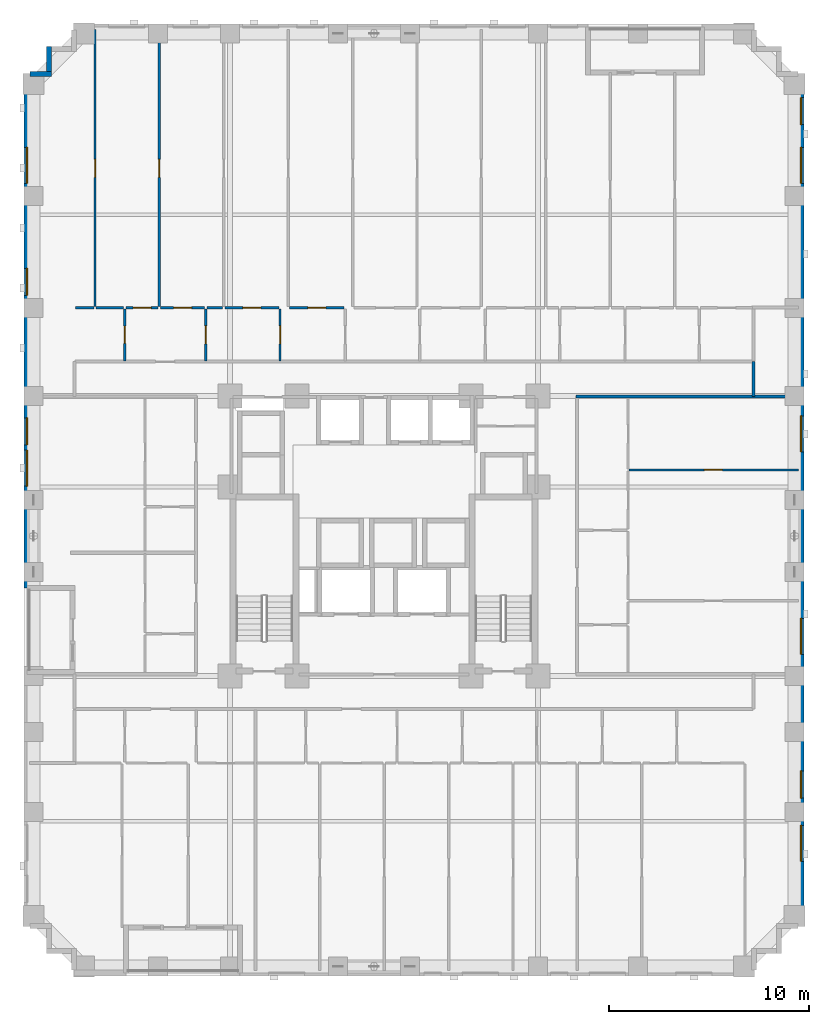
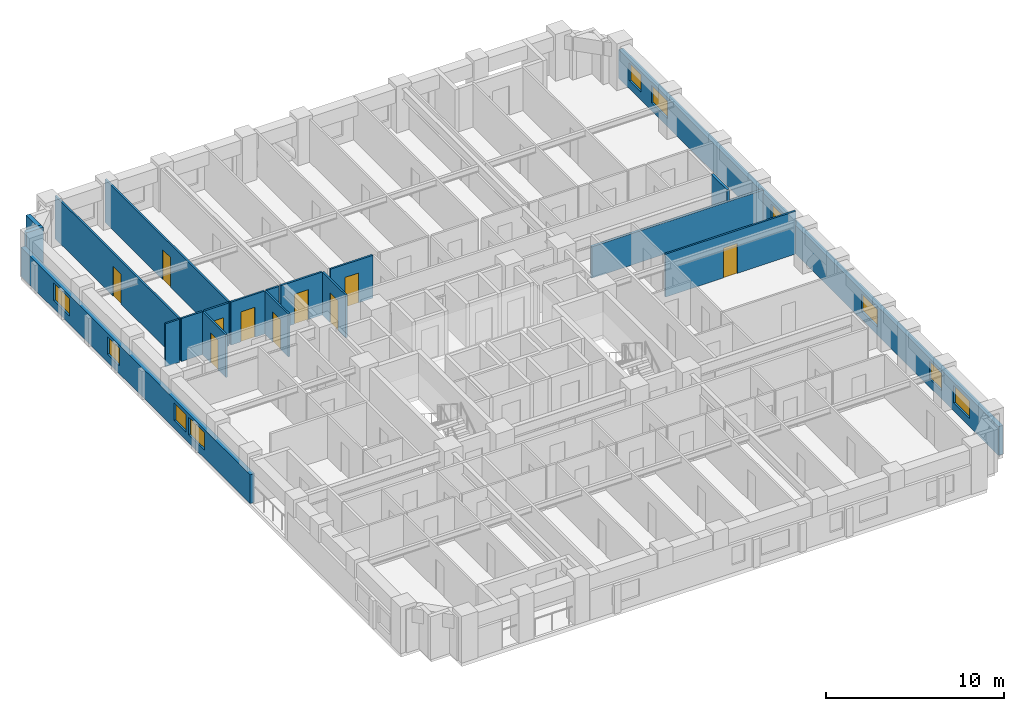
# One storey, part 7 of 14: 19 walls, 10 doors, 10 windows, 20 openings.
"""IFC4 building model written with IfcOpenShell, lengths in metres."""

from ifc_helpers import new_model, si_unit, derived_unit, direction, frame, frame_2d, origin, place, context, subcontext, project, spatial, rectangle, extrude, material, layer, layer_set, type_object, element, fill, save


model = new_model("IFC4")

# Units and contexts
model_context = context("Model", 3, precision=1e-05, world=origin(), true_north=direction((0.0, 1.0)))
body_context = subcontext(model_context, "Body", "Model", "MODEL_VIEW")
ifc_project = project(units=[si_unit("LENGTHUNIT", "METRE"), si_unit("AREAUNIT", "SQUARE_METRE"), si_unit("VOLUMEUNIT", "CUBIC_METRE"), si_unit("PLANEANGLEUNIT", "RADIAN"), si_unit("MASSUNIT", "GRAM", prefix="KILO"), derived_unit("THERMALTRANSMITTANCEUNIT", [(si_unit("MASSUNIT", "GRAM", prefix="KILO"), 1), (si_unit("TIMEUNIT", "SECOND"), -3), (si_unit("THERMODYNAMICTEMPERATUREUNIT", "KELVIN"), -1)])], contexts=[model_context])

# Site, building, storey
site_placement = place(None, origin())
site = spatial("IfcSite", under=ifc_project, at=site_placement, CompositionType="ELEMENT")
building_placement = place(site_placement, origin())
building = spatial("IfcBuilding", under=site, at=building_placement, Name="Korrvale Station Residences", CompositionType="ELEMENT")
storey_placement = place(building_placement, frame((0.0, 0.0, 41.800048828125)))
storey = spatial("IfcBuildingStorey", under=building, at=storey_placement, Name="L10", CompositionType="ELEMENT", Elevation=41.800048828125)

# Walls
ifc_material_1 = material(Name="Precast concrete C45/55", Category="concrete")
ifc_layer_1 = layer(ifc_material_1, 0.260009765625, Name="Precast concrete C45/55")
ifc_layer_set_1 = layer_set([ifc_layer_1], Name="Precast concrete C45/55")
wall_type_1 = type_object("IfcWallType", Name="WAL-EXT-LOG260", PredefinedType="SOLIDWALL", material=ifc_layer_set_1)
wall_1_placement = place(storey_placement, frame((7.802001953125, 45.10009765625, 0.0), z_axis=(0.0, 0.0, 1.0), x_axis=(1.0, 0.0, 0.0)))
element("IfcWall", 1, at=wall_1_placement, inside=storey, type_object=wall_type_1, Name="L10 Serrated Corner Precast Step NW-1", PredefinedType="SOLIDWALL", context=body_context, shape_type="SweptSolid", body=[
    extrude(rectangle(XDim=1.077880859375, YDim=0.260009765625, at=frame_2d((0.5390625, 0.0))), origin(), (0.0, 0.0, 1.0), 2.93994140625),
])
wall_2_placement = place(storey_placement, frame((8.75, 45.23193359375, 0.0), z_axis=(0.0, 0.0, 1.0), x_axis=(0.0, 1.0, 0.0)))
element("IfcWall", 2, at=wall_2_placement, inside=storey, type_object=wall_type_1, Name="L10 Serrated Corner Precast Step NW-2", PredefinedType="SOLIDWALL", context=body_context, shape_type="SweptSolid", body=[
    extrude(rectangle(XDim=1.248046875, YDim=0.260009765625, at=frame_2d((0.6240234375, 0.0))), origin(), (0.0, 0.0, 1.0), 2.93994140625),
])

# Wall, openings, windows
ifc_layer_2 = layer(ifc_material_1, 0.300048828125, Name="Precast concrete C45/55")
ifc_layer_set_2 = layer_set([ifc_layer_2], Name="Precast concrete C45/55")
wall_type_2 = type_object("IfcWallType", Name="WAL-EXT-PC300", PredefinedType="SOLIDWALL", material=ifc_layer_set_2)
wall_3_placement = place(storey_placement, frame((46.35009765625, 45.10009765625, 0.0), z_axis=(0.0, 0.0, 1.0), x_axis=(0.0, -1.0, 0.0)))
wall_3 = element("IfcWall", 3, at=wall_3_placement, inside=storey, type_object=wall_type_2, Name="L10 East Exterior Precast Wall 1", PredefinedType="SOLIDWALL", context=body_context, shape_type="SweptSolid", body=[
    extrude(rectangle(XDim=42.60009765625, YDim=0.300048828125, at=frame_2d((21.300048828125, 0.0))), origin(), (0.0, 0.0, 1.0), 1.974853515625),
])
opening_1_placement = place(wall_3_placement, frame((37.574951171875, 0.0, 0.550048828125)))
opening_1 = element("IfcOpeningElement", 4, at=opening_1_placement, cuts=wall_3, Name="Opening W-09", PredefinedType="OPENING", context=body_context, shape_type="SweptSolid", body=[
    extrude(rectangle(XDim=1.800048828125, YDim=1.199951171875, at=frame_2d((0.89990234375, 0.60009765625))), frame((0.0, 0.16015625, 0.0), z_axis=(0.0, -1.0, 0.0), x_axis=(1.0, 0.0, 0.0)), (0.0, 0.0, 1.0), 0.320068359375),
])
opening_2_placement = place(wall_3_placement, frame((34.85009765625, 0.0, 0.550048828125)))
opening_2 = element("IfcOpeningElement", 5, at=opening_2_placement, cuts=wall_3, Name="Opening W-10", PredefinedType="OPENING", context=body_context, shape_type="SweptSolid", body=[
    extrude(rectangle(XDim=1.35009765625, YDim=1.199951171875, at=frame_2d((0.675048828125, 0.60009765625))), frame((0.0, 0.16015625, 0.0), z_axis=(0.0, -1.0, 0.0), x_axis=(1.0, 0.0, 0.0)), (0.0, 0.0, 1.0), 0.320068359375),
])
opening_3_placement = place(wall_3_placement, frame((3.6650390625, 0.0, 0.550048828125)))
opening_3 = element("IfcOpeningElement", 6, at=opening_3_placement, cuts=wall_3, Name="Opening W-09", PredefinedType="OPENING", context=body_context, shape_type="SweptSolid", body=[
    extrude(rectangle(XDim=1.800048828125, YDim=1.199951171875, at=frame_2d((0.89990234375, 0.60009765625))), frame((0.0, 0.16015625, 0.0), z_axis=(0.0, -1.0, 0.0), x_axis=(1.0, 0.0, 0.0)), (0.0, 0.0, 1.0), 0.320068359375),
])
opening_4_placement = place(wall_3_placement, frame((1.18505859375, 0.0, 0.550048828125)))
opening_4 = element("IfcOpeningElement", 7, at=opening_4_placement, cuts=wall_3, Name="Opening W-10", PredefinedType="OPENING", context=body_context, shape_type="SweptSolid", body=[
    extrude(rectangle(XDim=1.35009765625, YDim=1.199951171875, at=frame_2d((0.675048828125, 0.60009765625))), frame((0.0, 0.16015625, 0.0), z_axis=(0.0, -1.0, 0.0), x_axis=(1.0, 0.0, 0.0)), (0.0, 0.0, 1.0), 0.320068359375),
])
opening_5_placement = place(wall_3_placement, frame((27.22509765625, 0.0, 0.550048828125)))
opening_5 = element("IfcOpeningElement", 8, at=opening_5_placement, cuts=wall_3, Name="Opening W-09", PredefinedType="OPENING", context=body_context, shape_type="SweptSolid", body=[
    extrude(rectangle(XDim=1.800048828125, YDim=1.199951171875, at=frame_2d((0.89990234375, 0.60009765625))), frame((0.0, 0.16015625, 0.0), z_axis=(0.0, -1.0, 0.0), x_axis=(1.0, 0.0, 0.0)), (0.0, 0.0, 1.0), 0.320068359375),
])
opening_6_placement = place(wall_3_placement, frame((17.10009765625, 0.0, 0.550048828125)))
opening_6 = element("IfcOpeningElement", 9, at=opening_6_placement, cuts=wall_3, Name="Opening W-09", PredefinedType="OPENING", context=body_context, shape_type="SweptSolid", body=[
    extrude(rectangle(XDim=1.800048828125, YDim=1.199951171875, at=frame_2d((0.89990234375, 0.60009765625))), frame((0.0, 0.16015625, 0.0), z_axis=(0.0, -1.0, 0.0), x_axis=(1.0, 0.0, 0.0)), (0.0, 0.0, 1.0), 0.320068359375),
])
ifc_material_2 = material(Name="Thermally broken aluminium frame with triple low-e glazing", Category="aluminium")
window_type_1 = type_object("IfcWindowType", Name="WIN-W09", PartitioningType="DOUBLE_PANEL_VERTICAL", PredefinedType="WINDOW", material=ifc_material_2)
window_1_placement = place(opening_1_placement, origin())
window_1 = element("IfcWindow", 10, at=window_1_placement, inside=storey, type_object=window_type_1, Name="L10 Punched Window 11", OverallHeight=1.199951171875, OverallWidth=1.800048828125, PartitioningType="DOUBLE_PANEL_VERTICAL", PredefinedType="WINDOW", context=body_context, shape_type="SweptSolid", body=[
    extrude(rectangle(XDim=1.800048828125, YDim=1.199951171875, at=frame_2d((0.89990234375, 0.60009765625))), frame((0.0, 0.030029296875, 0.0), z_axis=(0.0, -1.0, 0.0), x_axis=(1.0, 0.0, 0.0)), (0.0, 0.0, 1.0), 0.06005859375),
])
fill(opening_1, window_1)
window_2_placement = place(opening_3_placement, origin())
window_2 = element("IfcWindow", 11, at=window_2_placement, inside=storey, type_object=window_type_1, Name="L10 Punched Window 23", OverallHeight=1.199951171875, OverallWidth=1.800048828125, PartitioningType="DOUBLE_PANEL_VERTICAL", PredefinedType="WINDOW", context=body_context, shape_type="SweptSolid", body=[
    extrude(rectangle(XDim=1.800048828125, YDim=1.199951171875, at=frame_2d((0.89990234375, 0.60009765625))), frame((0.0, 0.030029296875, 0.0), z_axis=(0.0, -1.0, 0.0), x_axis=(1.0, 0.0, 0.0)), (0.0, 0.0, 1.0), 0.06005859375),
])
fill(opening_3, window_2)
window_3_placement = place(opening_5_placement, origin())
window_3 = element("IfcWindow", 12, at=window_3_placement, inside=storey, type_object=window_type_1, Name="L10 Punched Window 28", OverallHeight=1.199951171875, OverallWidth=1.800048828125, PartitioningType="DOUBLE_PANEL_VERTICAL", PredefinedType="WINDOW", context=body_context, shape_type="SweptSolid", body=[
    extrude(rectangle(XDim=1.800048828125, YDim=1.199951171875, at=frame_2d((0.89990234375, 0.60009765625))), frame((0.0, 0.030029296875, 0.0), z_axis=(0.0, -1.0, 0.0), x_axis=(1.0, 0.0, 0.0)), (0.0, 0.0, 1.0), 0.06005859375),
])
fill(opening_5, window_3)
window_4_placement = place(opening_6_placement, origin())
window_4 = element("IfcWindow", 13, at=window_4_placement, inside=storey, type_object=window_type_1, Name="L10 Punched Window 29", OverallHeight=1.199951171875, OverallWidth=1.800048828125, PartitioningType="DOUBLE_PANEL_VERTICAL", PredefinedType="WINDOW", context=body_context, shape_type="SweptSolid", body=[
    extrude(rectangle(XDim=1.800048828125, YDim=1.199951171875, at=frame_2d((0.89990234375, 0.60009765625))), frame((0.0, 0.030029296875, 0.0), z_axis=(0.0, -1.0, 0.0), x_axis=(1.0, 0.0, 0.0)), (0.0, 0.0, 1.0), 0.06005859375),
])
fill(opening_6, window_4)
window_type_2 = type_object("IfcWindowType", Name="WIN-W10", PartitioningType="SINGLE_PANEL", PredefinedType="WINDOW", material=ifc_material_2)
window_5_placement = place(opening_2_placement, origin())
window_5 = element("IfcWindow", 14, at=window_5_placement, inside=storey, type_object=window_type_2, Name="L10 Punched Window 12", OverallHeight=1.199951171875, OverallWidth=1.35009765625, PartitioningType="SINGLE_PANEL", PredefinedType="WINDOW", context=body_context, shape_type="SweptSolid", body=[
    extrude(rectangle(XDim=1.35009765625, YDim=1.199951171875, at=frame_2d((0.675048828125, 0.60009765625))), frame((0.0, 0.030029296875, 0.0), z_axis=(0.0, -1.0, 0.0), x_axis=(1.0, 0.0, 0.0)), (0.0, 0.0, 1.0), 0.06005859375),
])
fill(opening_2, window_5)
window_6_placement = place(opening_4_placement, origin())
window_6 = element("IfcWindow", 15, at=window_6_placement, inside=storey, type_object=window_type_2, Name="L10 Punched Window 24", OverallHeight=1.199951171875, OverallWidth=1.35009765625, PartitioningType="SINGLE_PANEL", PredefinedType="WINDOW", context=body_context, shape_type="SweptSolid", body=[
    extrude(rectangle(XDim=1.35009765625, YDim=1.199951171875, at=frame_2d((0.675048828125, 0.60009765625))), frame((0.0, 0.030029296875, 0.0), z_axis=(0.0, -1.0, 0.0), x_axis=(1.0, 0.0, 0.0)), (0.0, 0.0, 1.0), 0.06005859375),
])
fill(opening_4, window_6)

wall_4_placement = place(storey_placement, frame((7.64990234375, 19.39990234375, 0.0), z_axis=(0.0, 0.0, 1.0), x_axis=(0.0, 1.0, 0.0)))
wall_4 = element("IfcWall", 16, at=wall_4_placement, inside=storey, type_object=wall_type_2, Name="L10 West Exterior Precast Wall 2", PredefinedType="SOLIDWALL", context=body_context, shape_type="SweptSolid", body=[
    extrude(rectangle(XDim=25.7001953125, YDim=0.300048828125, at=frame_2d((12.85009765625, 0.0))), origin(), (0.0, 0.0, 1.0), 1.974853515625),
])
opening_7_placement = place(wall_4_placement, frame((20.235107421875, 0.0, 0.550048828125)))
opening_7 = element("IfcOpeningElement", 17, at=opening_7_placement, cuts=wall_4, Name="Opening W-09", PredefinedType="OPENING", context=body_context, shape_type="SweptSolid", body=[
    extrude(rectangle(XDim=1.800048828125, YDim=1.199951171875, at=frame_2d((0.89990234375, 0.60009765625))), frame((0.0, 0.16015625, 0.0), z_axis=(0.0, -1.0, 0.0), x_axis=(1.0, 0.0, 0.0)), (0.0, 0.0, 1.0), 0.320068359375),
])
opening_8_placement = place(wall_4_placement, frame((14.635009765625, 0.0, 0.550048828125)))
opening_8 = element("IfcOpeningElement", 18, at=opening_8_placement, cuts=wall_4, Name="Opening W-10", PredefinedType="OPENING", context=body_context, shape_type="SweptSolid", body=[
    extrude(rectangle(XDim=1.35009765625, YDim=1.199951171875, at=frame_2d((0.675048828125, 0.60009765625))), frame((0.0, 0.16015625, 0.0), z_axis=(0.0, -1.0, 0.0), x_axis=(1.0, 0.0, 0.0)), (0.0, 0.0, 1.0), 0.320068359375),
])
opening_9_placement = place(wall_4_placement, frame((5.10009765625, 0.0, 0.550048828125)))
opening_9 = element("IfcOpeningElement", 19, at=opening_9_placement, cuts=wall_4, Name="Opening W-09", PredefinedType="OPENING", context=body_context, shape_type="SweptSolid", body=[
    extrude(rectangle(XDim=1.800048828125, YDim=1.199951171875, at=frame_2d((0.89990234375, 0.60009765625))), frame((0.0, 0.16015625, 0.0), z_axis=(0.0, -1.0, 0.0), x_axis=(1.0, 0.0, 0.0)), (0.0, 0.0, 1.0), 0.320068359375),
])
opening_10_placement = place(wall_4_placement, frame((7.159912109375, 0.0, 0.550048828125)))
opening_10 = element("IfcOpeningElement", 20, at=opening_10_placement, cuts=wall_4, Name="Opening W-10", PredefinedType="OPENING", context=body_context, shape_type="SweptSolid", body=[
    extrude(rectangle(XDim=1.35009765625, YDim=1.199951171875, at=frame_2d((0.675048828125, 0.60009765625))), frame((0.0, 0.16015625, 0.0), z_axis=(0.0, -1.0, 0.0), x_axis=(1.0, 0.0, 0.0)), (0.0, 0.0, 1.0), 0.320068359375),
])
window_7_placement = place(opening_7_placement, origin())
window_7 = element("IfcWindow", 21, at=window_7_placement, inside=storey, type_object=window_type_1, Name="L10 Punched Window 13", OverallHeight=1.199951171875, OverallWidth=1.800048828125, PartitioningType="DOUBLE_PANEL_VERTICAL", PredefinedType="WINDOW", context=body_context, shape_type="SweptSolid", body=[
    extrude(rectangle(XDim=1.800048828125, YDim=1.199951171875, at=frame_2d((0.89990234375, 0.60009765625))), frame((0.0, 0.030029296875, 0.0), z_axis=(0.0, -1.0, 0.0), x_axis=(1.0, 0.0, 0.0)), (0.0, 0.0, 1.0), 0.06005859375),
])
fill(opening_7, window_7)
window_8_placement = place(opening_9_placement, origin())
window_8 = element("IfcWindow", 22, at=window_8_placement, inside=storey, type_object=window_type_1, Name="L10 Punched Window 26", OverallHeight=1.199951171875, OverallWidth=1.800048828125, PartitioningType="DOUBLE_PANEL_VERTICAL", PredefinedType="WINDOW", context=body_context, shape_type="SweptSolid", body=[
    extrude(rectangle(XDim=1.800048828125, YDim=1.199951171875, at=frame_2d((0.89990234375, 0.60009765625))), frame((0.0, 0.030029296875, 0.0), z_axis=(0.0, -1.0, 0.0), x_axis=(1.0, 0.0, 0.0)), (0.0, 0.0, 1.0), 0.06005859375),
])
fill(opening_9, window_8)
window_9_placement = place(opening_8_placement, origin())
window_9 = element("IfcWindow", 23, at=window_9_placement, inside=storey, type_object=window_type_2, Name="L10 Punched Window 14", OverallHeight=1.199951171875, OverallWidth=1.35009765625, PartitioningType="SINGLE_PANEL", PredefinedType="WINDOW", context=body_context, shape_type="SweptSolid", body=[
    extrude(rectangle(XDim=1.35009765625, YDim=1.199951171875, at=frame_2d((0.675048828125, 0.60009765625))), frame((0.0, 0.030029296875, 0.0), z_axis=(0.0, -1.0, 0.0), x_axis=(1.0, 0.0, 0.0)), (0.0, 0.0, 1.0), 0.06005859375),
])
fill(opening_8, window_9)
window_10_placement = place(opening_10_placement, origin())
window_10 = element("IfcWindow", 24, at=window_10_placement, inside=storey, type_object=window_type_2, Name="L10 Punched Window 27", OverallHeight=1.199951171875, OverallWidth=1.35009765625, PartitioningType="SINGLE_PANEL", PredefinedType="WINDOW", context=body_context, shape_type="SweptSolid", body=[
    extrude(rectangle(XDim=1.35009765625, YDim=1.199951171875, at=frame_2d((0.675048828125, 0.60009765625))), frame((0.0, 0.030029296875, 0.0), z_axis=(0.0, -1.0, 0.0), x_axis=(1.0, 0.0, 0.0)), (0.0, 0.0, 1.0), 0.06005859375),
])
fill(opening_10, window_10)

# Wall, opening, door
ifc_material_3 = material(Name="Acoustic steel-stud gypsum board partition", Category="steel")
ifc_layer_3 = layer(ifc_material_3, 0.1201171875, Name="Acoustic steel-stud gypsum board partition")
ifc_layer_set_3 = layer_set([ifc_layer_3], Name="Acoustic steel-stud gypsum board partition")
wall_type_3 = type_object("IfcWallType", Name="WAL-PART-125", PredefinedType="PARTITIONING", material=ifc_layer_set_3)
wall_5_placement = place(storey_placement, frame((12.5400390625, 30.760009765625, 0.0), z_axis=(0.0, 0.0, 1.0), x_axis=(0.0, 1.0, 0.0)))
wall_5 = element("IfcWall", 25, at=wall_5_placement, inside=storey, type_object=wall_type_3, Name="L10 Suite Partition U03-V01", PredefinedType="PARTITIONING", context=body_context, shape_type="SweptSolid", body=[
    extrude(rectangle(XDim=2.60009765625, YDim=0.1201171875, at=frame_2d((1.300048828125, 0.0))), origin(), (0.0, 0.0, 1.0), 2.93994140625),
])
opening_11_placement = place(wall_5_placement, frame((0.8701171875, 0.0, 0.0)))
opening_11 = element("IfcOpeningElement", 26, at=opening_11_placement, cuts=wall_5, Name="Opening DB-860", PredefinedType="OPENING", context=body_context, shape_type="SweptSolid", body=[
    extrude(rectangle(XDim=0.860107421875, YDim=2.050048828125, at=frame_2d((0.43017578125, 1.02490234375))), frame((0.0, 0.070068359375, 0.0), z_axis=(0.0, -1.0, 0.0), x_axis=(1.0, 0.0, 0.0)), (0.0, 0.0, 1.0), 0.14013671875),
])
ifc_material_4 = material(Name="Moisture-resistant solid-core bathroom door", Category="timber")
door_type_1 = type_object("IfcDoorType", Name="DR-BATH-860", OperationType="NOTDEFINED", PredefinedType="DOOR", material=ifc_material_4)
door_1_placement = place(opening_11_placement, origin())
door_1 = element("IfcDoor", 27, at=door_1_placement, inside=storey, type_object=door_type_1, Name="L10 Studio Apartment L10-U03 Bathroom Door", OperationType="SINGLE_SWING_RIGHT", OverallHeight=2.050048828125, OverallWidth=0.860107421875, PredefinedType="DOOR", context=body_context, shape_type="SweptSolid", body=[
    extrude(rectangle(XDim=0.860107421875, YDim=2.050048828125, at=frame_2d((0.43017578125, 1.02490234375))), frame((0.0, 0.02490234375, 0.0), z_axis=(0.0, -1.0, 0.0), x_axis=(1.0, 0.0, 0.0)), (0.0, 0.0, 1.0), 0.050048828125),
])
fill(opening_11, door_1)

# Walls
wall_6_placement = place(storey_placement, frame((10.080078125, 33.419921875, 0.0), z_axis=(0.0, 0.0, 1.0), x_axis=(1.0, 0.0, 0.0)))
element("IfcWall", 28, at=wall_6_placement, inside=storey, type_object=wall_type_3, Name="L10 Suite Partition U03-H010", PredefinedType="PARTITIONING", context=body_context, shape_type="SweptSolid", body=[
    extrude(rectangle(XDim=0.909912109375, YDim=0.1201171875, at=frame_2d((0.455078125, 0.0))), origin(), (0.0, 0.0, 1.0), 2.93994140625),
])
wall_7_placement = place(storey_placement, frame((11.110107421875, 33.419921875, 0.0), z_axis=(0.0, 0.0, 1.0), x_axis=(1.0, 0.0, 0.0)))
element("IfcWall", 29, at=wall_7_placement, inside=storey, type_object=wall_type_3, Name="L10 Suite Partition U03-H011", PredefinedType="PARTITIONING", context=body_context, shape_type="SweptSolid", body=[
    extrude(rectangle(XDim=1.369873046875, YDim=0.1201171875, at=frame_2d((0.68505859375, 0.0))), origin(), (0.0, 0.0, 1.0), 2.93994140625),
])

# Wall, opening, door
wall_8_placement = place(storey_placement, frame((16.580078125, 30.760009765625, 0.0), z_axis=(0.0, 0.0, 1.0), x_axis=(0.0, 1.0, 0.0)))
wall_8 = element("IfcWall", 30, at=wall_8_placement, inside=storey, type_object=wall_type_3, Name="L10 Suite Partition U03-V12", PredefinedType="PARTITIONING", context=body_context, shape_type="SweptSolid", body=[
    extrude(rectangle(XDim=2.60009765625, YDim=0.1201171875, at=frame_2d((1.300048828125, 0.0))), origin(), (0.0, 0.0, 1.0), 2.93994140625),
])
opening_12_placement = place(wall_8_placement, frame((0.85009765625, 0.0, 0.0)))
opening_12 = element("IfcOpeningElement", 31, at=opening_12_placement, cuts=wall_8, Name="Opening DI-900", PredefinedType="OPENING", context=body_context, shape_type="SweptSolid", body=[
    extrude(rectangle(XDim=0.89990234375, YDim=2.050048828125, at=frame_2d((0.449951171875, 1.02490234375))), frame((0.0, 0.070068359375, 0.0), z_axis=(0.0, -1.0, 0.0), x_axis=(1.0, 0.0, 0.0)), (0.0, 0.0, 1.0), 0.14013671875),
])
ifc_material_5 = material(Name="Painted solid-core timber interior room door", Category="wood")
door_type_2 = type_object("IfcDoorType", Name="DR-INT-900", OperationType="NOTDEFINED", PredefinedType="DOOR", material=ifc_material_5)
door_2_placement = place(opening_12_placement, origin())
door_2 = element("IfcDoor", 32, at=door_2_placement, inside=storey, type_object=door_type_2, Name="L10 Studio Apartment L10-U03 Kitchen Door", OperationType="SINGLE_SWING_LEFT", OverallHeight=2.050048828125, OverallWidth=0.89990234375, PredefinedType="DOOR", context=body_context, shape_type="SweptSolid", body=[
    extrude(rectangle(XDim=0.89990234375, YDim=2.050048828125, at=frame_2d((0.449951171875, 1.02490234375))), frame((0.0, 0.02490234375, 0.0), z_axis=(0.0, -1.0, 0.0), x_axis=(1.0, 0.0, 0.0)), (0.0, 0.0, 1.0), 0.050048828125),
])
fill(opening_12, door_2)

wall_9_placement = place(storey_placement, frame((12.60009765625, 33.419921875, 0.0), z_axis=(0.0, 0.0, 1.0), x_axis=(1.0, 0.0, 0.0)))
wall_9 = element("IfcWall", 33, at=wall_9_placement, inside=storey, type_object=wall_type_3, Name="L10 Suite Partition U03-H111", PredefinedType="PARTITIONING", context=body_context, shape_type="SweptSolid", body=[
    extrude(rectangle(XDim=1.60986328125, YDim=0.1201171875, at=frame_2d((0.804931640625, 0.0))), origin(), (0.0, 0.0, 1.0), 2.93994140625),
])
opening_13_placement = place(wall_9_placement, frame((0.35498046875, 0.0, 0.0)))
opening_13 = element("IfcOpeningElement", 34, at=opening_13_placement, cuts=wall_9, Name="Opening DI-900", PredefinedType="OPENING", context=body_context, shape_type="SweptSolid", body=[
    extrude(rectangle(XDim=0.89990234375, YDim=2.050048828125, at=frame_2d((0.449951171875, 1.02490234375))), frame((0.0, 0.070068359375, 0.0), z_axis=(0.0, -1.0, 0.0), x_axis=(1.0, 0.0, 0.0)), (0.0, 0.0, 1.0), 0.14013671875),
])
door_3_placement = place(opening_13_placement, origin())
door_3 = element("IfcDoor", 35, at=door_3_placement, inside=storey, type_object=door_type_2, Name="L10 Studio Apartment L10-U03 Kitchen Door", OperationType="SINGLE_SWING_RIGHT", OverallHeight=2.050048828125, OverallWidth=0.89990234375, PredefinedType="DOOR", context=body_context, shape_type="SweptSolid", body=[
    extrude(rectangle(XDim=0.89990234375, YDim=2.050048828125, at=frame_2d((0.449951171875, 1.02490234375))), frame((0.0, 0.02490234375, 0.0), z_axis=(0.0, -1.0, 0.0), x_axis=(1.0, 0.0, 0.0)), (0.0, 0.0, 1.0), 0.050048828125),
])
fill(opening_13, door_3)

wall_10_placement = place(storey_placement, frame((14.330078125, 33.419921875, 0.0), z_axis=(0.0, 0.0, 1.0), x_axis=(1.0, 0.0, 0.0)))
wall_10 = element("IfcWall", 36, at=wall_10_placement, inside=storey, type_object=wall_type_3, Name="L10 Suite Partition U03-H112", PredefinedType="PARTITIONING", context=body_context, shape_type="SweptSolid", body=[
    extrude(rectangle(XDim=2.18994140625, YDim=0.1201171875, at=frame_2d((1.094970703125, 0.0))), origin(), (0.0, 0.0, 1.0), 2.93994140625),
])
opening_14_placement = place(wall_10_placement, frame((0.64501953125, 0.0, 0.0)))
opening_14 = element("IfcOpeningElement", 37, at=opening_14_placement, cuts=wall_10, Name="Opening DI-900", PredefinedType="OPENING", context=body_context, shape_type="SweptSolid", body=[
    extrude(rectangle(XDim=0.89990234375, YDim=2.050048828125, at=frame_2d((0.449951171875, 1.02490234375))), frame((0.0, 0.070068359375, 0.0), z_axis=(0.0, -1.0, 0.0), x_axis=(1.0, 0.0, 0.0)), (0.0, 0.0, 1.0), 0.14013671875),
])
door_4_placement = place(opening_14_placement, origin())
door_4 = element("IfcDoor", 38, at=door_4_placement, inside=storey, type_object=door_type_2, Name="L10 Studio Apartment L10-U03 Kitchen Door", OperationType="SINGLE_SWING_LEFT", OverallHeight=2.050048828125, OverallWidth=0.89990234375, PredefinedType="DOOR", context=body_context, shape_type="SweptSolid", body=[
    extrude(rectangle(XDim=0.89990234375, YDim=2.050048828125, at=frame_2d((0.449951171875, 1.02490234375))), frame((0.0, 0.02490234375, 0.0), z_axis=(0.0, -1.0, 0.0), x_axis=(1.0, 0.0, 0.0)), (0.0, 0.0, 1.0), 0.050048828125),
])
fill(opening_14, door_4)

wall_11_placement = place(storey_placement, frame((20.300048828125, 30.760009765625, 0.0), z_axis=(0.0, 0.0, 1.0), x_axis=(0.0, 1.0, 0.0)))
wall_11 = element("IfcWall", 39, at=wall_11_placement, inside=storey, type_object=wall_type_3, Name="L10 Suite Partition U03-V23", PredefinedType="PARTITIONING", context=body_context, shape_type="SweptSolid", body=[
    extrude(rectangle(XDim=2.60009765625, YDim=0.1201171875, at=frame_2d((1.300048828125, 0.0))), origin(), (0.0, 0.0, 1.0), 2.93994140625),
])
opening_15_placement = place(wall_11_placement, frame((0.85009765625, 0.0, 0.0)))
opening_15 = element("IfcOpeningElement", 40, at=opening_15_placement, cuts=wall_11, Name="Opening DI-900", PredefinedType="OPENING", context=body_context, shape_type="SweptSolid", body=[
    extrude(rectangle(XDim=0.89990234375, YDim=2.050048828125, at=frame_2d((0.449951171875, 1.02490234375))), frame((0.0, 0.070068359375, 0.0), z_axis=(0.0, -1.0, 0.0), x_axis=(1.0, 0.0, 0.0)), (0.0, 0.0, 1.0), 0.14013671875),
])
door_5_placement = place(opening_15_placement, origin())
door_5 = element("IfcDoor", 41, at=door_5_placement, inside=storey, type_object=door_type_2, Name="L10 Studio Apartment L10-U03 Utility and Laundry Room Door", OperationType="SINGLE_SWING_RIGHT", OverallHeight=2.050048828125, OverallWidth=0.89990234375, PredefinedType="DOOR", context=body_context, shape_type="SweptSolid", body=[
    extrude(rectangle(XDim=0.89990234375, YDim=2.050048828125, at=frame_2d((0.449951171875, 1.02490234375))), frame((0.0, 0.02490234375, 0.0), z_axis=(0.0, -1.0, 0.0), x_axis=(1.0, 0.0, 0.0)), (0.0, 0.0, 1.0), 0.050048828125),
])
fill(opening_15, door_5)

# Wall
wall_12_placement = place(storey_placement, frame((16.639892578125, 33.419921875, 0.0), z_axis=(0.0, 0.0, 1.0), x_axis=(1.0, 0.0, 0.0)))
element("IfcWall", 42, at=wall_12_placement, inside=storey, type_object=wall_type_3, Name="L10 Suite Partition U03-H212", PredefinedType="PARTITIONING", context=body_context, shape_type="SweptSolid", body=[
    extrude(rectangle(XDim=0.7900390625, YDim=0.1201171875, at=frame_2d((0.39501953125, 0.0))), origin(), (0.0, 0.0, 1.0), 2.93994140625),
])

# Wall, opening, door
wall_13_placement = place(storey_placement, frame((17.550048828125, 33.419921875, 0.0), z_axis=(0.0, 0.0, 1.0), x_axis=(1.0, 0.0, 0.0)))
wall_13 = element("IfcWall", 43, at=wall_13_placement, inside=storey, type_object=wall_type_3, Name="L10 Suite Partition U03-H213", PredefinedType="PARTITIONING", context=body_context, shape_type="SweptSolid", body=[
    extrude(rectangle(XDim=2.68994140625, YDim=0.1201171875, at=frame_2d((1.344970703125, 0.0))), origin(), (0.0, 0.0, 1.0), 2.93994140625),
])
opening_16_placement = place(wall_13_placement, frame((0.89501953125, 0.0, 0.0)))
opening_16 = element("IfcOpeningElement", 44, at=opening_16_placement, cuts=wall_13, Name="Opening DI-900", PredefinedType="OPENING", context=body_context, shape_type="SweptSolid", body=[
    extrude(rectangle(XDim=0.89990234375, YDim=2.050048828125, at=frame_2d((0.449951171875, 1.02490234375))), frame((0.0, 0.070068359375, 0.0), z_axis=(0.0, -1.0, 0.0), x_axis=(1.0, 0.0, 0.0)), (0.0, 0.0, 1.0), 0.14013671875),
])
door_6_placement = place(opening_16_placement, origin())
door_6 = element("IfcDoor", 45, at=door_6_placement, inside=storey, type_object=door_type_2, Name="L10 Studio Apartment L10-U03 Utility and Laundry Room Door", OperationType="SINGLE_SWING_LEFT", OverallHeight=2.050048828125, OverallWidth=0.89990234375, PredefinedType="DOOR", context=body_context, shape_type="SweptSolid", body=[
    extrude(rectangle(XDim=0.89990234375, YDim=2.050048828125, at=frame_2d((0.449951171875, 1.02490234375))), frame((0.0, 0.02490234375, 0.0), z_axis=(0.0, -1.0, 0.0), x_axis=(1.0, 0.0, 0.0)), (0.0, 0.0, 1.0), 0.050048828125),
])
fill(opening_16, door_6)

wall_14_placement = place(storey_placement, frame((20.77001953125, 33.419921875, 0.0), z_axis=(0.0, 0.0, 1.0), x_axis=(1.0, 0.0, 0.0)))
wall_14 = element("IfcWall", 46, at=wall_14_placement, inside=storey, type_object=wall_type_3, Name="L10 Suite Partition U03-H314", PredefinedType="PARTITIONING", context=body_context, shape_type="SweptSolid", body=[
    extrude(rectangle(XDim=2.739990234375, YDim=0.1201171875, at=frame_2d((1.3701171875, 0.0))), origin(), (0.0, 0.0, 1.0), 2.93994140625),
])
opening_17_placement = place(wall_14_placement, frame((0.919921875, 0.0, 0.0)))
opening_17 = element("IfcOpeningElement", 47, at=opening_17_placement, cuts=wall_14, Name="Opening DI-900", PredefinedType="OPENING", context=body_context, shape_type="SweptSolid", body=[
    extrude(rectangle(XDim=0.89990234375, YDim=2.050048828125, at=frame_2d((0.449951171875, 1.02490234375))), frame((0.0, 0.070068359375, 0.0), z_axis=(0.0, -1.0, 0.0), x_axis=(1.0, 0.0, 0.0)), (0.0, 0.0, 1.0), 0.14013671875),
])
door_7_placement = place(opening_17_placement, origin())
door_7 = element("IfcDoor", 48, at=door_7_placement, inside=storey, type_object=door_type_2, Name="L10 Studio Apartment L10-U03 Storage Closet 2 Door", OperationType="SINGLE_SWING_LEFT", OverallHeight=2.050048828125, OverallWidth=0.89990234375, PredefinedType="DOOR", context=body_context, shape_type="SweptSolid", body=[
    extrude(rectangle(XDim=0.89990234375, YDim=2.050048828125, at=frame_2d((0.449951171875, 1.02490234375))), frame((0.0, 0.02490234375, 0.0), z_axis=(0.0, -1.0, 0.0), x_axis=(1.0, 0.0, 0.0)), (0.0, 0.0, 1.0), 0.050048828125),
])
fill(opening_17, door_7)

wall_15_placement = place(storey_placement, frame((11.050048828125, 33.47998046875, 0.0), z_axis=(0.0, 0.0, 1.0), x_axis=(0.0, 1.0, 0.0)))
wall_15 = element("IfcWall", 49, at=wall_15_placement, inside=storey, type_object=wall_type_3, Name="L10 Suite Partition U03-V1011", PredefinedType="PARTITIONING", context=body_context, shape_type="SweptSolid", body=[
    extrude(rectangle(XDim=13.840087890625, YDim=0.1201171875, at=frame_2d((6.919921875, 0.0))), origin(), (0.0, 0.0, 1.0), 2.93994140625),
])
opening_18_placement = place(wall_15_placement, frame((6.455078125, 0.0, 0.0)))
opening_18 = element("IfcOpeningElement", 50, at=opening_18_placement, cuts=wall_15, Name="Opening DI-900", PredefinedType="OPENING", context=body_context, shape_type="SweptSolid", body=[
    extrude(rectangle(XDim=0.89990234375, YDim=2.050048828125, at=frame_2d((0.449951171875, 1.02490234375))), frame((0.0, 0.070068359375, 0.0), z_axis=(0.0, -1.0, 0.0), x_axis=(1.0, 0.0, 0.0)), (0.0, 0.0, 1.0), 0.14013671875),
])
door_8_placement = place(opening_18_placement, origin())
door_8 = element("IfcDoor", 51, at=door_8_placement, inside=storey, type_object=door_type_2, Name="L10 Studio Apartment L10-U03 Walk-In Wardrobe Door", OperationType="SINGLE_SWING_LEFT", OverallHeight=2.050048828125, OverallWidth=0.89990234375, PredefinedType="DOOR", context=body_context, shape_type="SweptSolid", body=[
    extrude(rectangle(XDim=0.89990234375, YDim=2.050048828125, at=frame_2d((0.449951171875, 1.02490234375))), frame((0.0, 0.02490234375, 0.0), z_axis=(0.0, -1.0, 0.0), x_axis=(1.0, 0.0, 0.0)), (0.0, 0.0, 1.0), 0.050048828125),
])
fill(opening_18, door_8)

wall_16_placement = place(storey_placement, frame((14.27001953125, 33.47998046875, 0.0), z_axis=(0.0, 0.0, 1.0), x_axis=(0.0, 1.0, 0.0)))
wall_16 = element("IfcWall", 52, at=wall_16_placement, inside=storey, type_object=wall_type_3, Name="L10 Suite Partition U03-V1112", PredefinedType="PARTITIONING", context=body_context, shape_type="SweptSolid", body=[
    extrude(rectangle(XDim=13.840087890625, YDim=0.1201171875, at=frame_2d((6.919921875, 0.0))), origin(), (0.0, 0.0, 1.0), 2.93994140625),
])
opening_19_placement = place(wall_16_placement, frame((6.455078125, 0.0, 0.0)))
opening_19 = element("IfcOpeningElement", 53, at=opening_19_placement, cuts=wall_16, Name="Opening DI-900", PredefinedType="OPENING", context=body_context, shape_type="SweptSolid", body=[
    extrude(rectangle(XDim=0.89990234375, YDim=2.050048828125, at=frame_2d((0.449951171875, 1.02490234375))), frame((0.0, 0.070068359375, 0.0), z_axis=(0.0, -1.0, 0.0), x_axis=(1.0, 0.0, 0.0)), (0.0, 0.0, 1.0), 0.14013671875),
])
door_9_placement = place(opening_19_placement, origin())
door_9 = element("IfcDoor", 54, at=door_9_placement, inside=storey, type_object=door_type_2, Name="L10 Studio Apartment L10-U03 Walk-In Wardrobe Door", OperationType="SINGLE_SWING_RIGHT", OverallHeight=2.050048828125, OverallWidth=0.89990234375, PredefinedType="DOOR", context=body_context, shape_type="SweptSolid", body=[
    extrude(rectangle(XDim=0.89990234375, YDim=2.050048828125, at=frame_2d((0.449951171875, 1.02490234375))), frame((0.0, 0.02490234375, 0.0), z_axis=(0.0, -1.0, 0.0), x_axis=(1.0, 0.0, 0.0)), (0.0, 0.0, 1.0), 0.050048828125),
])
fill(opening_19, door_9)

wall_17_placement = place(storey_placement, frame((37.760009765625, 25.301025390625, 0.0), z_axis=(0.0, 0.0, 1.0), x_axis=(1.0, 0.0, 0.0)))
wall_17 = element("IfcWall", 55, at=wall_17_placement, inside=storey, type_object=wall_type_3, Name="L10 Suite Partition U06-H45", PredefinedType="PARTITIONING", context=body_context, shape_type="SweptSolid", body=[
    extrude(rectangle(XDim=8.4599609375, YDim=0.1201171875, at=frame_2d((4.22998046875, 0.0))), origin(), (0.0, 0.0, 1.0), 2.93994140625),
])
opening_20_placement = place(wall_17_placement, frame((3.764892578125, 0.0, 0.0)))
opening_20 = element("IfcOpeningElement", 56, at=opening_20_placement, cuts=wall_17, Name="Opening DI-900", PredefinedType="OPENING", context=body_context, shape_type="SweptSolid", body=[
    extrude(rectangle(XDim=0.89990234375, YDim=2.050048828125, at=frame_2d((0.449951171875, 1.02490234375))), frame((0.0, 0.070068359375, 0.0), z_axis=(0.0, -1.0, 0.0), x_axis=(1.0, 0.0, 0.0)), (0.0, 0.0, 1.0), 0.14013671875),
])
door_10_placement = place(opening_20_placement, origin())
door_10 = element("IfcDoor", 57, at=door_10_placement, inside=storey, type_object=door_type_2, Name="L10 Apartment 2BR L10-U06 Living and Dining Room Door", OperationType="SINGLE_SWING_LEFT", OverallHeight=2.050048828125, OverallWidth=0.89990234375, PredefinedType="DOOR", context=body_context, shape_type="SweptSolid", body=[
    extrude(rectangle(XDim=0.89990234375, YDim=2.050048828125, at=frame_2d((0.449951171875, 1.02490234375))), frame((0.0, 0.02490234375, 0.0), z_axis=(0.0, -1.0, 0.0), x_axis=(1.0, 0.0, 0.0)), (0.0, 0.0, 1.0), 0.050048828125),
])
fill(opening_20, door_10)

# Walls
ifc_material_6 = material(Name="Fire-rated twin-stud gypsum and mineral wool shaftwall assembly", Category="gypsum")
ifc_layer_4 = layer(ifc_material_6, 0.159912109375, Name="Fire-rated twin-stud gypsum and mineral wool shaftwall assembly")
ifc_layer_set_4 = layer_set([ifc_layer_4], Name="Fire-rated twin-stud gypsum and mineral wool shaftwall assembly")
wall_type_4 = type_object("IfcWallType", Name="WAL-PART-200", PredefinedType="PARTITIONING", material=ifc_layer_set_4)
wall_18_placement = place(storey_placement, frame((43.97998046875, 28.97998046875, 0.0), z_axis=(0.0, 0.0, 1.0), x_axis=(0.0, 1.0, 0.0)))
element("IfcWall", 58, at=wall_18_placement, inside=storey, type_object=wall_type_4, Name="L10 Corridor North East Cap", PredefinedType="PARTITIONING", context=body_context, shape_type="SweptSolid", body=[
    extrude(rectangle(XDim=1.739990234375, YDim=0.159912109375, at=frame_2d((0.8701171875, 0.0))), origin(), (0.0, 0.0, 1.0), 2.93994140625),
])
wall_19_placement = place(storey_placement, frame((35.110107421875, 28.97998046875, 0.0), z_axis=(0.0, 0.0, 1.0), x_axis=(1.0, 0.0, 0.0)))
element("IfcWall", 59, at=wall_19_placement, inside=storey, type_object=wall_type_4, Name="L10 East Wing North Corridor Wall", PredefinedType="PARTITIONING", context=body_context, shape_type="SweptSolid", body=[
    extrude(rectangle(XDim=11.10986328125, YDim=0.159912109375, at=frame_2d((5.554931640625, 0.0))), origin(), (0.0, 0.0, 1.0), 2.155029296875),
])

save(model, "model.ifc")
